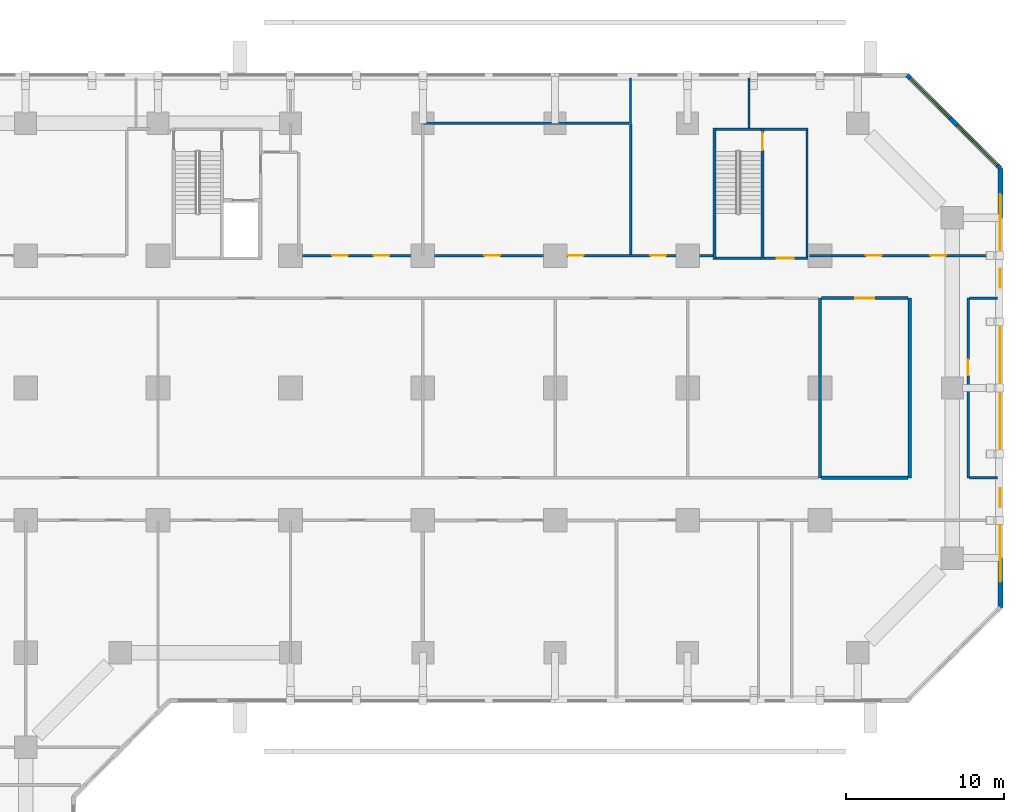
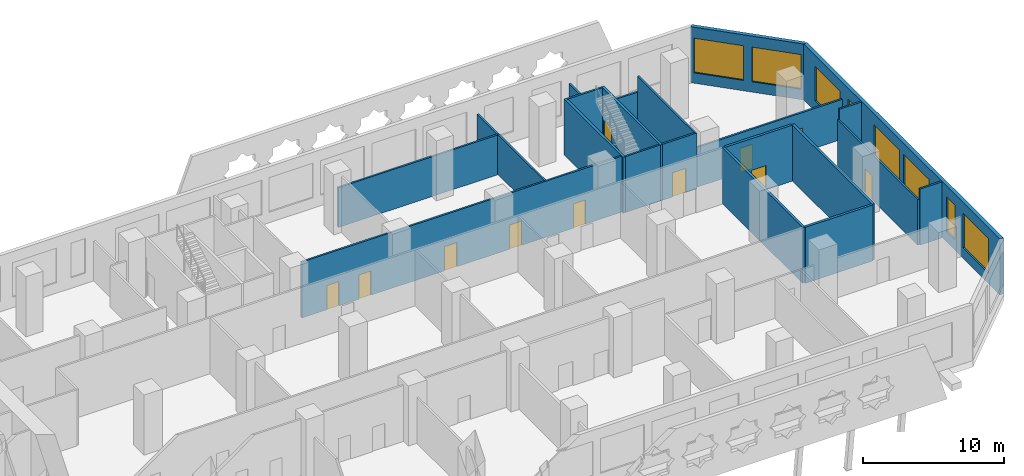
# One storey, part 12 of 21: 22 walls, 11 doors, 8 windows, 19 openings.
"""IFC4 building model written with IfcOpenShell, lengths in metres."""

from ifc_helpers import new_model, si_unit, direction, frame, frame_2d, origin, place, context, subcontext, project, spatial, rectangle, extrude, material, layer, layer_set, type_object, element, fill, save


model = new_model("IFC4")

# Units and contexts
model_context = context("Model", 3, precision=1e-05, world=origin(), true_north=direction((0.0, 1.0)))
body_context = subcontext(model_context, "Body", "Model", "MODEL_VIEW")
ifc_project = project(units=[si_unit("LENGTHUNIT", "METRE"), si_unit("AREAUNIT", "SQUARE_METRE"), si_unit("VOLUMEUNIT", "CUBIC_METRE"), si_unit("PLANEANGLEUNIT", "RADIAN"), si_unit("MASSUNIT", "GRAM", prefix="KILO")], contexts=[model_context])

# Site, building, storey
site_placement = place(None, origin())
site = spatial("IfcSite", under=ifc_project, at=site_placement, CompositionType="ELEMENT")
building_placement = place(site_placement, origin())
building = spatial("IfcBuilding", under=site, at=building_placement, Name="Kawkab Arch Medical Tower", CompositionType="ELEMENT")
storey_placement = place(building_placement, frame((0.0, 0.0, 23.800048828125)))
storey = spatial("IfcBuildingStorey", under=building, at=storey_placement, Name="L05", CompositionType="ELEMENT", Elevation=23.800048828125)

# Walls
ifc_material_1 = material(Name="Gypsum board on steel studs", Category="steel")
ifc_layer_1 = layer(ifc_material_1, 0.14990234375)
ifc_layer_set_1 = layer_set([ifc_layer_1], Name="Gypsum board on steel studs")
wall_type_1 = type_object("IfcWallType", Name="Core room partition 150", PredefinedType="PARTITIONING", material=ifc_layer_set_1)
wall_1_placement = place(storey_placement, frame((80.449951171875, -0.375, 0.0), z_axis=(0.0, 0.0, 1.0), x_axis=(1.0, 0.0, 0.0)))
element("IfcWall", 1, at=wall_1_placement, inside=storey, type_object=wall_type_1, Name="L05 core room partition", PredefinedType="PARTITIONING", context=body_context, shape_type="SweptSolid", body=[
    extrude(rectangle(XDim=2.800048828125, YDim=0.14990234375, at=frame_2d((1.39990234375, 0.0))), origin(), (0.0, 0.0, 1.0), 3.449951171875),
])
wall_2_placement = place(storey_placement, frame((83.175048828125, -8.5, 0.0), z_axis=(0.0, 0.0, 1.0), x_axis=(0.0, 1.0, 0.0)))
element("IfcWall", 2, at=wall_2_placement, inside=storey, type_object=wall_type_1, Name="L05 core room partition", PredefinedType="PARTITIONING", context=body_context, shape_type="SweptSolid", body=[
    extrude(rectangle(XDim=8.050048828125, YDim=0.14990234375, at=frame_2d((4.02490234375, 0.0))), origin(), (0.0, 0.0, 1.0), 4.849853515625),
])
ifc_material_2 = material(Name="Gypsum board partition on steel studs, mineral wool", Category="steel")
ifc_layer_2 = layer(ifc_material_2, 0.14990234375)
ifc_layer_set_2 = layer_set([ifc_layer_2], Name="Gypsum board partition on steel studs, mineral wool")
wall_type_2 = type_object("IfcWallType", Name="Partition 150", PredefinedType="PARTITIONING", material=ifc_layer_set_2)
for number, where, z_axis, x_axis, name in (
    (3, (93.47509765625, -22.5, 0.0), (0.0, 0.0, 1.0), (1.0, 0.0, 0.0), "Partition 150 w024"),
    (4, (93.47509765625, -11.10009765625, 0.0), (0.0, 0.0, 1.0), (1.0, 0.0, 0.0), "Partition 150 w027"),
):
    element("IfcWall", number, at=place(storey_placement, frame(where, z_axis=z_axis, x_axis=x_axis)), inside=storey, type_object=wall_type_2, Name=name, PredefinedType="PARTITIONING", context=body_context, shape_type="SweptSolid", body=[
        extrude(rectangle(XDim=1.804931640625, YDim=0.14990234375, at=frame_2d((0.90234375, 0.0))), origin(), (0.0, 0.0, 1.0), 4.849853515625),
    ])

# Wall, openings, doors
wall_3_placement = place(storey_placement, frame((51.0, -8.39990234375, 0.0), z_axis=(0.0, 0.0, 1.0), x_axis=(1.0, 0.0, 0.0)))
wall_3 = element("IfcWall", 5, at=wall_3_placement, inside=storey, type_object=wall_type_2, Name="Partition 150 w029", PredefinedType="PARTITIONING", context=body_context, shape_type="SweptSolid", body=[
    extrude(rectangle(XDim=26.199951171875, YDim=0.14990234375, at=frame_2d((13.10009765625, 0.0))), origin(), (0.0, 0.0, 1.0), 4.849853515625),
])
opening_1_placement = place(wall_3_placement, frame((2.050048828125, 0.0, 0.0)))
opening_1 = element("IfcOpeningElement", 6, at=opening_1_placement, cuts=wall_3, Name="Opening P05-006", PredefinedType="OPENING", context=body_context, shape_type="SweptSolid", body=[
    extrude(rectangle(XDim=1.0, YDim=2.10009765625, at=frame_2d((0.5, 1.050048828125))), frame((0.0, 0.0849609375, 0.0), z_axis=(0.0, -1.0, 0.0), x_axis=(1.0, 0.0, 0.0)), (0.0, 0.0, 1.0), 0.169921875),
])
opening_2_placement = place(wall_3_placement, frame((4.675048828125, 0.0, 0.0)))
opening_2 = element("IfcOpeningElement", 7, at=opening_2_placement, cuts=wall_3, Name="Opening P05-007", PredefinedType="OPENING", context=body_context, shape_type="SweptSolid", body=[
    extrude(rectangle(XDim=1.0, YDim=2.10009765625, at=frame_2d((0.5, 1.050048828125))), frame((0.0, 0.0849609375, 0.0), z_axis=(0.0, -1.0, 0.0), x_axis=(1.0, 0.0, 0.0)), (0.0, 0.0, 1.0), 0.169921875),
])
opening_3_placement = place(wall_3_placement, frame((11.699951171875, 0.0, 0.0)))
opening_3 = element("IfcOpeningElement", 8, at=opening_3_placement, cuts=wall_3, Name="Opening P05-008", PredefinedType="OPENING", context=body_context, shape_type="SweptSolid", body=[
    extrude(rectangle(XDim=1.0, YDim=2.10009765625, at=frame_2d((0.5, 1.050048828125))), frame((0.0, 0.0849609375, 0.0), z_axis=(0.0, -1.0, 0.0), x_axis=(1.0, 0.0, 0.0)), (0.0, 0.0, 1.0), 0.169921875),
])
opening_4_placement = place(wall_3_placement, frame((17.0, 0.0, 0.0)))
opening_4 = element("IfcOpeningElement", 9, at=opening_4_placement, cuts=wall_3, Name="Opening P05-009", PredefinedType="OPENING", context=body_context, shape_type="SweptSolid", body=[
    extrude(rectangle(XDim=1.0, YDim=2.10009765625, at=frame_2d((0.5, 1.050048828125))), frame((0.0, 0.0849609375, 0.0), z_axis=(0.0, -1.0, 0.0), x_axis=(1.0, 0.0, 0.0)), (0.0, 0.0, 1.0), 0.169921875),
])
opening_5_placement = place(wall_3_placement, frame((22.23291015625, 0.0, 0.0)))
opening_5 = element("IfcOpeningElement", 10, at=opening_5_placement, cuts=wall_3, Name="Opening P05-010", PredefinedType="OPENING", context=body_context, shape_type="SweptSolid", body=[
    extrude(rectangle(XDim=1.0, YDim=2.10009765625, at=frame_2d((0.5, 1.050048828125))), frame((0.0, 0.0849609375, 0.0), z_axis=(0.0, -1.0, 0.0), x_axis=(1.0, 0.0, 0.0)), (0.0, 0.0, 1.0), 0.169921875),
])
ifc_material_3 = material(Name="Hollow metal door leaf")
door_type_1 = type_object("IfcDoorType", Name="Single door 1000x2100 FD30S", OperationType="NOTDEFINED", PredefinedType="DOOR", material=ifc_material_3)
door_1_placement = place(opening_1_placement, origin())
door_1 = element("IfcDoor", 11, at=door_1_placement, inside=storey, type_object=door_type_1, Name="Door P05-006", OperationType="SINGLE_SWING_LEFT", OverallHeight=2.10009765625, OverallWidth=1.0, PredefinedType="DOOR", context=body_context, shape_type="SweptSolid", body=[
    extrude(rectangle(XDim=1.0, YDim=2.10009765625, at=frame_2d((0.5, 1.050048828125))), frame((0.0, 0.02490234375, 0.0), z_axis=(0.0, -1.0, 0.0), x_axis=(1.0, 0.0, 0.0)), (0.0, 0.0, 1.0), 0.050048828125),
])
fill(opening_1, door_1)
door_2_placement = place(opening_2_placement, origin())
door_2 = element("IfcDoor", 12, at=door_2_placement, inside=storey, type_object=door_type_1, Name="Door P05-007", OperationType="SINGLE_SWING_LEFT", OverallHeight=2.10009765625, OverallWidth=1.0, PredefinedType="DOOR", context=body_context, shape_type="SweptSolid", body=[
    extrude(rectangle(XDim=1.0, YDim=2.10009765625, at=frame_2d((0.5, 1.050048828125))), frame((0.0, 0.02490234375, 0.0), z_axis=(0.0, -1.0, 0.0), x_axis=(1.0, 0.0, 0.0)), (0.0, 0.0, 1.0), 0.050048828125),
])
fill(opening_2, door_2)
door_3_placement = place(opening_3_placement, origin())
door_3 = element("IfcDoor", 13, at=door_3_placement, inside=storey, type_object=door_type_1, Name="Door P05-008", OperationType="SINGLE_SWING_LEFT", OverallHeight=2.10009765625, OverallWidth=1.0, PredefinedType="DOOR", context=body_context, shape_type="SweptSolid", body=[
    extrude(rectangle(XDim=1.0, YDim=2.10009765625, at=frame_2d((0.5, 1.050048828125))), frame((0.0, 0.02490234375, 0.0), z_axis=(0.0, -1.0, 0.0), x_axis=(1.0, 0.0, 0.0)), (0.0, 0.0, 1.0), 0.050048828125),
])
fill(opening_3, door_3)
door_4_placement = place(opening_4_placement, origin())
door_4 = element("IfcDoor", 14, at=door_4_placement, inside=storey, type_object=door_type_1, Name="Door P05-009", OperationType="SINGLE_SWING_RIGHT", OverallHeight=2.10009765625, OverallWidth=1.0, PredefinedType="DOOR", context=body_context, shape_type="SweptSolid", body=[
    extrude(rectangle(XDim=1.0, YDim=2.10009765625, at=frame_2d((0.5, 1.050048828125))), frame((0.0, 0.02490234375, 0.0), z_axis=(0.0, -1.0, 0.0), x_axis=(1.0, 0.0, 0.0)), (0.0, 0.0, 1.0), 0.050048828125),
])
fill(opening_4, door_4)
door_5_placement = place(opening_5_placement, origin())
door_5 = element("IfcDoor", 15, at=door_5_placement, inside=storey, type_object=door_type_1, Name="Door P05-010", OperationType="SINGLE_SWING_RIGHT", OverallHeight=2.10009765625, OverallWidth=1.0, PredefinedType="DOOR", context=body_context, shape_type="SweptSolid", body=[
    extrude(rectangle(XDim=1.0, YDim=2.10009765625, at=frame_2d((0.5, 1.050048828125))), frame((0.0, 0.02490234375, 0.0), z_axis=(0.0, -1.0, 0.0), x_axis=(1.0, 0.0, 0.0)), (0.0, 0.0, 1.0), 0.050048828125),
])
fill(opening_5, door_5)

wall_4_placement = place(storey_placement, frame((83.330078125, -8.39990234375, 0.0), z_axis=(0.0, 0.0, 1.0), x_axis=(1.0, 0.0, 0.0)))
wall_4 = element("IfcWall", 16, at=wall_4_placement, inside=storey, type_object=wall_type_2, Name="Partition 150 w030", PredefinedType="PARTITIONING", context=body_context, shape_type="SweptSolid", body=[
    extrude(rectangle(XDim=11.949951171875, YDim=0.14990234375, at=frame_2d((5.97509765625, 0.0))), origin(), (0.0, 0.0, 1.0), 3.449951171875),
])
opening_6_placement = place(wall_4_placement, frame((3.590087890625, 0.0, 0.0)))
opening_6 = element("IfcOpeningElement", 17, at=opening_6_placement, cuts=wall_4, Name="Opening P05-011", PredefinedType="OPENING", context=body_context, shape_type="SweptSolid", body=[
    extrude(rectangle(XDim=1.0, YDim=2.10009765625, at=frame_2d((0.5, 1.050048828125))), frame((0.0, 0.0849609375, 0.0), z_axis=(0.0, -1.0, 0.0), x_axis=(1.0, 0.0, 0.0)), (0.0, 0.0, 1.0), 0.169921875),
])
opening_7_placement = place(wall_4_placement, frame((7.679931640625, 0.0, 0.0)))
opening_7 = element("IfcOpeningElement", 18, at=opening_7_placement, cuts=wall_4, Name="Opening P05-012", PredefinedType="OPENING", context=body_context, shape_type="SweptSolid", body=[
    extrude(rectangle(XDim=1.0, YDim=2.10009765625, at=frame_2d((0.5, 1.050048828125))), frame((0.0, 0.0849609375, 0.0), z_axis=(0.0, -1.0, 0.0), x_axis=(1.0, 0.0, 0.0)), (0.0, 0.0, 1.0), 0.169921875),
])
door_6_placement = place(opening_6_placement, origin())
door_6 = element("IfcDoor", 19, at=door_6_placement, inside=storey, type_object=door_type_1, Name="Door P05-011", OperationType="SINGLE_SWING_LEFT", OverallHeight=2.10009765625, OverallWidth=1.0, PredefinedType="DOOR", context=body_context, shape_type="SweptSolid", body=[
    extrude(rectangle(XDim=1.0, YDim=2.10009765625, at=frame_2d((0.5, 1.050048828125))), frame((0.0, 0.02490234375, 0.0), z_axis=(0.0, -1.0, 0.0), x_axis=(1.0, 0.0, 0.0)), (0.0, 0.0, 1.0), 0.050048828125),
])
fill(opening_6, door_6)
door_7_placement = place(opening_7_placement, origin())
door_7 = element("IfcDoor", 20, at=door_7_placement, inside=storey, type_object=door_type_1, Name="Door P05-012", OperationType="SINGLE_SWING_RIGHT", OverallHeight=2.10009765625, OverallWidth=1.0, PredefinedType="DOOR", context=body_context, shape_type="SweptSolid", body=[
    extrude(rectangle(XDim=1.0, YDim=2.10009765625, at=frame_2d((0.5, 1.050048828125))), frame((0.0, 0.02490234375, 0.0), z_axis=(0.0, -1.0, 0.0), x_axis=(1.0, 0.0, 0.0)), (0.0, 0.0, 1.0), 0.050048828125),
])
fill(opening_7, door_7)

# Walls
wall_5_placement = place(storey_placement, frame((58.840087890625, 0.0, 0.0), z_axis=(0.0, 0.0, 1.0), x_axis=(1.0, 0.0, 0.0)))
element("IfcWall", 21, at=wall_5_placement, inside=storey, type_object=wall_type_2, Name="Partition 150 w033", PredefinedType="PARTITIONING", context=body_context, shape_type="SweptSolid", body=[
    extrude(rectangle(XDim=13.044921875, YDim=0.14990234375, at=frame_2d((6.5224609375, 0.0))), origin(), (0.0, 0.0, 1.0), 3.449951171875),
])
wall_6_placement = place(storey_placement, frame((71.97998046875, 0.02001953125, 0.0), z_axis=(0.0, 0.0, 1.0), x_axis=(0.0, 1.0, 0.0)))
element("IfcWall", 22, at=wall_6_placement, inside=storey, type_object=wall_type_2, Name="Partition 150 w062", PredefinedType="PARTITIONING", context=body_context, shape_type="SweptSolid", body=[
    extrude(rectangle(XDim=2.85986328125, YDim=0.14990234375, at=frame_2d((1.429931640625, 0.0))), origin(), (0.0, 0.0, 1.0), 3.449951171875),
])
wall_7_placement = place(storey_placement, frame((72.0, -8.324951171875, 0.0), z_axis=(0.0, 0.0, 1.0), x_axis=(0.0, 1.0, 0.0)))
element("IfcWall", 23, at=wall_7_placement, inside=storey, type_object=wall_type_2, Name="Partition 150 w063", PredefinedType="PARTITIONING", context=body_context, shape_type="SweptSolid", body=[
    extrude(rectangle(XDim=8.322998046875, YDim=0.14990234375, at=frame_2d((4.16162109375, 0.0))), origin(), (0.0, 0.0, 1.0), 3.449951171875),
])
wall_8_placement = place(storey_placement, frame((79.5, -0.300048828125, 0.0), z_axis=(0.0, 0.0, 1.0), x_axis=(0.0, 1.0, 0.0)))
element("IfcWall", 24, at=wall_8_placement, inside=storey, type_object=wall_type_2, Name="Partition 150 w065", PredefinedType="PARTITIONING", context=body_context, shape_type="SweptSolid", body=[
    extrude(rectangle(XDim=3.179931640625, YDim=0.14990234375, at=frame_2d((1.58984375, 0.0))), origin(), (0.0, 0.0, 1.0), 3.449951171875),
])

# Wall, opening, door
wall_9_placement = place(storey_placement, frame((93.39990234375, -22.5, 0.0), z_axis=(0.0, 0.0, 1.0), x_axis=(0.0, 1.0, 0.0)))
wall_9 = element("IfcWall", 25, at=wall_9_placement, inside=storey, type_object=wall_type_2, Name="Partition 150 w068", PredefinedType="PARTITIONING", context=body_context, shape_type="SweptSolid", body=[
    extrude(rectangle(XDim=11.39990234375, YDim=0.14990234375, at=frame_2d((5.699951171875, 0.0))), origin(), (0.0, 0.0, 1.0), 3.949951171875),
])
opening_8_placement = place(wall_9_placement, frame((6.5, 0.0, 0.0)))
opening_8 = element("IfcOpeningElement", 26, at=opening_8_placement, cuts=wall_9, Name="Opening P05-060", PredefinedType="OPENING", context=body_context, shape_type="SweptSolid", body=[
    extrude(rectangle(XDim=1.0, YDim=2.10009765625, at=frame_2d((0.5, 1.050048828125))), frame((0.0, 0.0849609375, 0.0), z_axis=(0.0, -1.0, 0.0), x_axis=(1.0, 0.0, 0.0)), (0.0, 0.0, 1.0), 0.169921875),
])
door_8_placement = place(opening_8_placement, origin())
door_8 = element("IfcDoor", 27, at=door_8_placement, inside=storey, type_object=door_type_1, Name="Door P05-060", OperationType="SINGLE_SWING_LEFT", OverallHeight=2.10009765625, OverallWidth=1.0, PredefinedType="DOOR", context=body_context, shape_type="SweptSolid", body=[
    extrude(rectangle(XDim=1.0, YDim=2.10009765625, at=frame_2d((0.5, 1.050048828125))), frame((0.0, 0.02490234375, 0.0), z_axis=(0.0, -1.0, 0.0), x_axis=(1.0, 0.0, 0.0)), (0.0, 0.0, 1.0), 0.050048828125),
])
fill(opening_8, door_8)

# Wall, openings, windows
ifc_material_4 = material(Name="Bronze clad insulated wall panel")
ifc_layer_3 = layer(ifc_material_4, 0.300048828125)
ifc_layer_set_3 = layer_set([ifc_layer_3], Name="Bronze clad insulated wall panel")
wall_type_3 = type_object("IfcWallType", Name="Podium external wall 300", PredefinedType="SOLIDWALL", material=ifc_layer_set_3)
wall_10_placement = place(storey_placement, frame((95.449951171875, -30.73779296875, 0.0), z_axis=(0.0, 0.0, 1.0), x_axis=(0.0, 1.0, 0.0)))
wall_10 = element("IfcWall", 28, at=wall_10_placement, inside=storey, type_object=wall_type_3, Name="Podium external wall L05 R10", PredefinedType="SOLIDWALL", context=body_context, shape_type="SweptSolid", body=[
    extrude(rectangle(XDim=27.875732421875, YDim=0.300048828125, at=frame_2d((13.93798828125, 0.0))), origin(), (0.0, 0.0, 1.0), 4.849853515625),
])
opening_9_placement = place(wall_10_placement, frame((1.637939453125, 0.0, 0.89990234375)))
opening_9 = element("IfcOpeningElement", 29, at=opening_9_placement, cuts=wall_10, Name="Opening PBW360-30-S9", PredefinedType="OPENING", context=body_context, shape_type="SweptSolid", body=[
    extrude(rectangle(XDim=3.60009765625, YDim=3.0, at=frame_2d((1.800048828125, 1.5))), frame((0.0, 0.159912109375, 0.0), z_axis=(0.0, -1.0, 0.0), x_axis=(1.0, 0.0, 0.0)), (0.0, 0.0, 1.0), 0.320068359375),
])
opening_10_placement = place(wall_10_placement, frame((6.36279296875, 0.0, 0.89990234375)))
opening_10 = element("IfcOpeningElement", 30, at=opening_10_placement, cuts=wall_10, Name="Opening PBW120-30-S9", PredefinedType="OPENING", context=body_context, shape_type="SweptSolid", body=[
    extrude(rectangle(XDim=1.199951171875, YDim=3.0, at=frame_2d((0.60009765625, 1.5))), frame((0.0, 0.159912109375, 0.0), z_axis=(0.0, -1.0, 0.0), x_axis=(1.0, 0.0, 0.0)), (0.0, 0.0, 1.0), 0.320068359375),
])
opening_11_placement = place(wall_10_placement, frame((10.037841796875, 0.0, 0.89990234375)))
opening_11 = element("IfcOpeningElement", 31, at=opening_11_placement, cuts=wall_10, Name="Opening PBW360-30-S9", PredefinedType="OPENING", context=body_context, shape_type="SweptSolid", body=[
    extrude(rectangle(XDim=3.60009765625, YDim=3.0, at=frame_2d((1.800048828125, 1.5))), frame((0.0, 0.159912109375, 0.0), z_axis=(0.0, -1.0, 0.0), x_axis=(1.0, 0.0, 0.0)), (0.0, 0.0, 1.0), 0.320068359375),
])
opening_12_placement = place(wall_10_placement, frame((14.23779296875, 0.0, 0.89990234375)))
opening_12 = element("IfcOpeningElement", 32, at=opening_12_placement, cuts=wall_10, Name="Opening PBW360-30-S9", PredefinedType="OPENING", context=body_context, shape_type="SweptSolid", body=[
    extrude(rectangle(XDim=3.60009765625, YDim=3.0, at=frame_2d((1.800048828125, 1.5))), frame((0.0, 0.159912109375, 0.0), z_axis=(0.0, -1.0, 0.0), x_axis=(1.0, 0.0, 0.0)), (0.0, 0.0, 1.0), 0.320068359375),
])
opening_13_placement = place(wall_10_placement, frame((20.31298828125, 0.0, 0.89990234375)))
opening_13 = element("IfcOpeningElement", 33, at=opening_13_placement, cuts=wall_10, Name="Opening PBW120-30-S9", PredefinedType="OPENING", context=body_context, shape_type="SweptSolid", body=[
    extrude(rectangle(XDim=1.199951171875, YDim=3.0, at=frame_2d((0.60009765625, 1.5))), frame((0.0, 0.159912109375, 0.0), z_axis=(0.0, -1.0, 0.0), x_axis=(1.0, 0.0, 0.0)), (0.0, 0.0, 1.0), 0.320068359375),
])
opening_14_placement = place(wall_10_placement, frame((22.637939453125, 0.0, 0.89990234375)))
opening_14 = element("IfcOpeningElement", 34, at=opening_14_placement, cuts=wall_10, Name="Opening PBW360-30-S9", PredefinedType="OPENING", context=body_context, shape_type="SweptSolid", body=[
    extrude(rectangle(XDim=3.60009765625, YDim=3.0, at=frame_2d((1.800048828125, 1.5))), frame((0.0, 0.159912109375, 0.0), z_axis=(0.0, -1.0, 0.0), x_axis=(1.0, 0.0, 0.0)), (0.0, 0.0, 1.0), 0.320068359375),
])
ifc_material_5 = material(Name="Bronze anodised aluminium louvred window", Category="aluminium")
window_type_1 = type_object("IfcWindowType", Name="Podium band window 1200 x 3000 sill 900", PartitioningType="DOUBLE_PANEL_VERTICAL", PredefinedType="WINDOW", material=ifc_material_5)
window_1_placement = place(opening_10_placement, origin())
window_1 = element("IfcWindow", 35, at=window_1_placement, inside=storey, type_object=window_type_1, Name="Band window L05 R10.2", OverallHeight=3.0, OverallWidth=1.199951171875, PartitioningType="SINGLE_PANEL", PredefinedType="WINDOW", context=body_context, shape_type="SweptSolid", body=[
    extrude(rectangle(XDim=1.199951171875, YDim=3.0, at=frame_2d((0.60009765625, 1.5))), frame((0.0, 0.030029296875, 0.0), z_axis=(0.0, -1.0, 0.0), x_axis=(1.0, 0.0, 0.0)), (0.0, 0.0, 1.0), 0.06005859375),
])
fill(opening_10, window_1)
window_2_placement = place(opening_13_placement, origin())
window_2 = element("IfcWindow", 36, at=window_2_placement, inside=storey, type_object=window_type_1, Name="Band window L05 R10.5", OverallHeight=3.0, OverallWidth=1.199951171875, PartitioningType="SINGLE_PANEL", PredefinedType="WINDOW", context=body_context, shape_type="SweptSolid", body=[
    extrude(rectangle(XDim=1.199951171875, YDim=3.0, at=frame_2d((0.60009765625, 1.5))), frame((0.0, 0.030029296875, 0.0), z_axis=(0.0, -1.0, 0.0), x_axis=(1.0, 0.0, 0.0)), (0.0, 0.0, 1.0), 0.06005859375),
])
fill(opening_13, window_2)
ifc_material_6 = material(Name="Bronze anodised aluminium louvred window", Category="aluminium")
window_type_2 = type_object("IfcWindowType", Name="Podium band window 3600 x 3000 sill 900", PartitioningType="DOUBLE_PANEL_VERTICAL", PredefinedType="WINDOW", material=ifc_material_6)
window_3_placement = place(opening_9_placement, origin())
window_3 = element("IfcWindow", 37, at=window_3_placement, inside=storey, type_object=window_type_2, Name="Band window L05 R10.1", OverallHeight=3.0, OverallWidth=3.60009765625, PartitioningType="SINGLE_PANEL", PredefinedType="WINDOW", context=body_context, shape_type="SweptSolid", body=[
    extrude(rectangle(XDim=3.60009765625, YDim=3.0, at=frame_2d((1.800048828125, 1.5))), frame((0.0, 0.030029296875, 0.0), z_axis=(0.0, -1.0, 0.0), x_axis=(1.0, 0.0, 0.0)), (0.0, 0.0, 1.0), 0.06005859375),
])
fill(opening_9, window_3)
window_4_placement = place(opening_11_placement, origin())
window_4 = element("IfcWindow", 38, at=window_4_placement, inside=storey, type_object=window_type_2, Name="Band window L05 R10.3", OverallHeight=3.0, OverallWidth=3.60009765625, PartitioningType="SINGLE_PANEL", PredefinedType="WINDOW", context=body_context, shape_type="SweptSolid", body=[
    extrude(rectangle(XDim=3.60009765625, YDim=3.0, at=frame_2d((1.800048828125, 1.5))), frame((0.0, 0.030029296875, 0.0), z_axis=(0.0, -1.0, 0.0), x_axis=(1.0, 0.0, 0.0)), (0.0, 0.0, 1.0), 0.06005859375),
])
fill(opening_11, window_4)
window_5_placement = place(opening_12_placement, origin())
window_5 = element("IfcWindow", 39, at=window_5_placement, inside=storey, type_object=window_type_2, Name="Band window L05 R10.4", OverallHeight=3.0, OverallWidth=3.60009765625, PartitioningType="SINGLE_PANEL", PredefinedType="WINDOW", context=body_context, shape_type="SweptSolid", body=[
    extrude(rectangle(XDim=3.60009765625, YDim=3.0, at=frame_2d((1.800048828125, 1.5))), frame((0.0, 0.030029296875, 0.0), z_axis=(0.0, -1.0, 0.0), x_axis=(1.0, 0.0, 0.0)), (0.0, 0.0, 1.0), 0.06005859375),
])
fill(opening_12, window_5)
window_6_placement = place(opening_14_placement, origin())
window_6 = element("IfcWindow", 40, at=window_6_placement, inside=storey, type_object=window_type_2, Name="Band window L05 R10.6", OverallHeight=3.0, OverallWidth=3.60009765625, PartitioningType="SINGLE_PANEL", PredefinedType="WINDOW", context=body_context, shape_type="SweptSolid", body=[
    extrude(rectangle(XDim=3.60009765625, YDim=3.0, at=frame_2d((1.800048828125, 1.5))), frame((0.0, 0.030029296875, 0.0), z_axis=(0.0, -1.0, 0.0), x_axis=(1.0, 0.0, 0.0)), (0.0, 0.0, 1.0), 0.06005859375),
])
fill(opening_14, window_6)

wall_11_placement = place(storey_placement, frame((95.449951171875, -2.862060546875, 0.0), z_axis=(0.0, 0.0, 1.0), x_axis=(-0.707106781187, 0.707106781187, 0.0)))
wall_11 = element("IfcWall", 41, at=wall_11_placement, inside=storey, type_object=wall_type_3, Name="Podium external wall L05 R11", PredefinedType="SOLIDWALL", context=body_context, shape_type="SweptSolid", body=[
    extrude(rectangle(XDim=8.361083984375, YDim=0.300048828125, at=frame_2d((4.1806640625, 0.0))), origin(), (0.0, 0.0, 1.0), 4.849853515625),
])
opening_15_placement = place(wall_11_placement, frame((0.259033203125, 0.0, 0.89990234375)))
opening_15 = element("IfcOpeningElement", 42, at=opening_15_placement, cuts=wall_11, Name="Opening PBW360-30-S9", PredefinedType="OPENING", context=body_context, shape_type="SweptSolid", body=[
    extrude(rectangle(XDim=3.60009765625, YDim=3.0, at=frame_2d((1.800048828125, 1.5))), frame((0.0, 0.159912109375, 0.0), z_axis=(0.0, -1.0, 0.0), x_axis=(1.0, 0.0, 0.0)), (0.0, 0.0, 1.0), 0.320068359375),
])
opening_16_placement = place(wall_11_placement, frame((4.501708984375, 0.0, 0.89990234375)))
opening_16 = element("IfcOpeningElement", 43, at=opening_16_placement, cuts=wall_11, Name="Opening PBW360-30-S9", PredefinedType="OPENING", context=body_context, shape_type="SweptSolid", body=[
    extrude(rectangle(XDim=3.60009765625, YDim=3.0, at=frame_2d((1.800048828125, 1.5))), frame((0.0, 0.159912109375, 0.0), z_axis=(0.0, -1.0, 0.0), x_axis=(1.0, 0.0, 0.0)), (0.0, 0.0, 1.0), 0.320068359375),
])
window_7_placement = place(opening_15_placement, origin())
window_7 = element("IfcWindow", 44, at=window_7_placement, inside=storey, type_object=window_type_2, Name="Band window L05 R11.1", OverallHeight=3.0, OverallWidth=3.60009765625, PartitioningType="SINGLE_PANEL", PredefinedType="WINDOW", context=body_context, shape_type="SweptSolid", body=[
    extrude(rectangle(XDim=3.60009765625, YDim=3.0, at=frame_2d((1.800048828125, 1.5))), frame((0.0, 0.030029296875, 0.0), z_axis=(0.0, -1.0, 0.0), x_axis=(1.0, 0.0, 0.0)), (0.0, 0.0, 1.0), 0.06005859375),
])
fill(opening_15, window_7)
window_8_placement = place(opening_16_placement, origin())
window_8 = element("IfcWindow", 45, at=window_8_placement, inside=storey, type_object=window_type_2, Name="Band window L05 R11.2", OverallHeight=3.0, OverallWidth=3.60009765625, PartitioningType="SINGLE_PANEL", PredefinedType="WINDOW", context=body_context, shape_type="SweptSolid", body=[
    extrude(rectangle(XDim=3.60009765625, YDim=3.0, at=frame_2d((1.800048828125, 1.5))), frame((0.0, 0.030029296875, 0.0), z_axis=(0.0, -1.0, 0.0), x_axis=(1.0, 0.0, 0.0)), (0.0, 0.0, 1.0), 0.06005859375),
])
fill(opening_16, window_8)

# Wall
ifc_material_7 = material(Name="Fire-rated gypsum board partition on steel studs", Category="steel")
ifc_layer_4 = layer(ifc_material_7, 0.199951171875)
ifc_layer_set_4 = layer_set([ifc_layer_4], Name="Fire-rated gypsum board partition on steel studs")
wall_type_4 = type_object("IfcWallType", Name="Protected partition 200", PredefinedType="PARTITIONING", material=ifc_layer_set_4)
wall_12_placement = place(storey_placement, frame((84.10009765625, -22.5, 0.0), z_axis=(0.0, 0.0, 1.0), x_axis=(1.0, 0.0, 0.0)))
element("IfcWall", 46, at=wall_12_placement, inside=storey, type_object=wall_type_4, Name="Protected partition 200 w074", PredefinedType="PARTITIONING", context=body_context, shape_type="SweptSolid", body=[
    extrude(rectangle(XDim=5.5, YDim=0.199951171875, at=frame_2d((2.75, 0.0))), origin(), (0.0, 0.0, 1.0), 4.849853515625),
])

# Wall, opening, door
wall_13_placement = place(storey_placement, frame((84.10009765625, -11.10009765625, 0.0), z_axis=(0.0, 0.0, 1.0), x_axis=(1.0, 0.0, 0.0)))
wall_13 = element("IfcWall", 47, at=wall_13_placement, inside=storey, type_object=wall_type_4, Name="Protected partition 200 w075", PredefinedType="PARTITIONING", context=body_context, shape_type="SweptSolid", body=[
    extrude(rectangle(XDim=5.5, YDim=0.199951171875, at=frame_2d((2.75, 0.0))), origin(), (0.0, 0.0, 1.0), 4.849853515625),
])
opening_17_placement = place(wall_13_placement, frame((2.14990234375, 0.0, 0.0)))
opening_17 = element("IfcOpeningElement", 48, at=opening_17_placement, cuts=wall_13, Name="Opening P05-063", PredefinedType="OPENING", context=body_context, shape_type="SweptSolid", body=[
    extrude(rectangle(XDim=1.199951171875, YDim=2.10009765625, at=frame_2d((0.60009765625, 1.050048828125))), frame((0.0, 0.10986328125, 0.0), z_axis=(0.0, -1.0, 0.0), x_axis=(1.0, 0.0, 0.0)), (0.0, 0.0, 1.0), 0.219970703125),
])
ifc_material_8 = material(Name="Hollow metal door leaf")
door_type_2 = type_object("IfcDoorType", Name="Single door 1200x2100 FD60", OperationType="NOTDEFINED", PredefinedType="DOOR", material=ifc_material_8)
door_9_placement = place(opening_17_placement, origin())
door_9 = element("IfcDoor", 49, at=door_9_placement, inside=storey, type_object=door_type_2, Name="Door P05-063", OperationType="SINGLE_SWING_LEFT", OverallHeight=2.10009765625, OverallWidth=1.199951171875, PredefinedType="DOOR", context=body_context, shape_type="SweptSolid", body=[
    extrude(rectangle(XDim=1.199951171875, YDim=2.10009765625, at=frame_2d((0.60009765625, 1.050048828125))), frame((0.0, 0.02490234375, 0.0), z_axis=(0.0, -1.0, 0.0), x_axis=(1.0, 0.0, 0.0)), (0.0, 0.0, 1.0), 0.050048828125),
])
fill(opening_17, door_9)

# Walls
for number, where, z_axis, x_axis, name in (
    (50, (84.0, -22.5, 0.0), (0.0, 0.0, 1.0), (0.0, 1.0, 0.0), "Protected partition 200 w081"),
    (51, (89.699951171875, -22.5, 0.0), (0.0, 0.0, 1.0), (0.0, 1.0, 0.0), "Protected partition 200 w082"),
):
    element("IfcWall", number, at=place(storey_placement, frame(where, z_axis=z_axis, x_axis=x_axis)), inside=storey, type_object=wall_type_4, Name=name, PredefinedType="PARTITIONING", context=body_context, shape_type="SweptSolid", body=[
        extrude(rectangle(XDim=11.39990234375, YDim=0.199951171875, at=frame_2d((5.699951171875, 0.0))), origin(), (0.0, 0.0, 1.0), 4.849853515625),
    ])
ifc_material_9 = material(Name="Concrete C50/60", Category="concrete")
ifc_layer_5 = layer(ifc_material_9, 0.14990234375)
ifc_layer_set_5 = layer_set([ifc_layer_5], Name="Concrete C50/60")
wall_type_5 = type_object("IfcWallType", Name="Stair enclosure wall 150 C50/60", PredefinedType="SHEAR", material=ifc_layer_set_5)
for number, where, z_axis, x_axis, name in (
    (52, (77.39990234375, -0.375, 0.0), (0.0, 0.0, 1.0), (1.0, 0.0, 0.0), "L05 stair enclosure wall"),
    (53, (77.39990234375, -8.574951171875, 0.0), (0.0, 0.0, 1.0), (1.0, 0.0, 0.0), "L05 stair enclosure wall"),
):
    element("IfcWall", number, at=place(storey_placement, frame(where, z_axis=z_axis, x_axis=x_axis)), inside=storey, type_object=wall_type_5, Name=name, PredefinedType="SHEAR", context=body_context, shape_type="SweptSolid", body=[
        extrude(rectangle(XDim=2.85009765625, YDim=0.14990234375, at=frame_2d((1.425048828125, 0.0))), origin(), (0.0, 0.0, 1.0), 4.849853515625),
    ])

# Wall, opening, door
wall_14_placement = place(storey_placement, frame((80.449951171875, -8.574951171875, 0.0), z_axis=(0.0, 0.0, 1.0), x_axis=(1.0, 0.0, 0.0)))
wall_14 = element("IfcWall", 54, at=wall_14_placement, inside=storey, type_object=wall_type_5, Name="L05 stair enclosure wall", PredefinedType="SHEAR", context=body_context, shape_type="SweptSolid", body=[
    extrude(rectangle(XDim=2.800048828125, YDim=0.14990234375, at=frame_2d((1.39990234375, 0.0))), origin(), (0.0, 0.0, 1.0), 4.849853515625),
])
opening_18_placement = place(wall_14_placement, frame((0.800048828125, 0.0, 0.0)))
opening_18 = element("IfcOpeningElement", 55, at=opening_18_placement, cuts=wall_14, Name="Opening SD", PredefinedType="OPENING", context=body_context, shape_type="SweptSolid", body=[
    extrude(rectangle(XDim=1.10009765625, YDim=2.10009765625, at=frame_2d((0.550048828125, 1.050048828125))), frame((0.0, 0.0849609375, 0.0), z_axis=(0.0, -1.0, 0.0), x_axis=(1.0, 0.0, 0.0)), (0.0, 0.0, 1.0), 0.169921875),
])
ifc_material_10 = material(Name="Hollow metal fire door leaf")
door_type_3 = type_object("IfcDoorType", Name="Exit stair door 1100", OperationType="SINGLE_SWING_LEFT", PredefinedType="DOOR", material=ifc_material_10)
door_10_placement = place(opening_18_placement, origin())
door_10 = element("IfcDoor", 56, at=door_10_placement, inside=storey, type_object=door_type_3, Name="L05 Exit stair ST7 lobby door", OperationType="SINGLE_SWING_LEFT", OverallHeight=2.10009765625, OverallWidth=1.10009765625, PredefinedType="DOOR", context=body_context, shape_type="SweptSolid", body=[
    extrude(rectangle(XDim=1.10009765625, YDim=2.10009765625, at=frame_2d((0.550048828125, 1.050048828125))), frame((0.0, 0.02490234375, 0.0), z_axis=(0.0, -1.0, 0.0), x_axis=(1.0, 0.0, 0.0)), (0.0, 0.0, 1.0), 0.050048828125),
])
fill(opening_18, door_10)

# Wall
ifc_material_11 = material(Name="Concrete C50/60", Category="concrete")
ifc_layer_6 = layer(ifc_material_11, 0.199951171875)
ifc_layer_set_6 = layer_set([ifc_layer_6], Name="Concrete C50/60")
wall_type_6 = type_object("IfcWallType", Name="Stair enclosure wall 200 C50/60", PredefinedType="SHEAR", material=ifc_layer_set_6)
wall_15_placement = place(storey_placement, frame((77.300048828125, -8.64990234375, 0.0), z_axis=(0.0, 0.0, 1.0), x_axis=(0.0, 1.0, 0.0)))
element("IfcWall", 57, at=wall_15_placement, inside=storey, type_object=wall_type_6, Name="L05 stair enclosure wall", PredefinedType="SHEAR", context=body_context, shape_type="SweptSolid", body=[
    extrude(rectangle(XDim=8.349853515625, YDim=0.199951171875, at=frame_2d((4.1748046875, 0.0))), origin(), (0.0, 0.0, 1.0), 4.849853515625),
])

# Wall, opening, door
wall_16_placement = place(storey_placement, frame((80.35009765625, -8.64990234375, 0.0), z_axis=(0.0, 0.0, 1.0), x_axis=(0.0, 1.0, 0.0)))
wall_16 = element("IfcWall", 58, at=wall_16_placement, inside=storey, type_object=wall_type_6, Name="L05 stair enclosure wall", PredefinedType="SHEAR", context=body_context, shape_type="SweptSolid", body=[
    extrude(rectangle(XDim=8.349853515625, YDim=0.199951171875, at=frame_2d((4.1748046875, 0.0))), origin(), (0.0, 0.0, 1.0), 4.849853515625),
])
opening_19_placement = place(wall_16_placement, frame((6.949951171875, 0.0, 0.0)))
opening_19 = element("IfcOpeningElement", 59, at=opening_19_placement, cuts=wall_16, Name="Opening SD", PredefinedType="OPENING", context=body_context, shape_type="SweptSolid", body=[
    extrude(rectangle(XDim=1.10009765625, YDim=2.10009765625, at=frame_2d((0.550048828125, 1.050048828125))), frame((0.0, 0.10986328125, 0.0), z_axis=(0.0, -1.0, 0.0), x_axis=(1.0, 0.0, 0.0)), (0.0, 0.0, 1.0), 0.219970703125),
])
door_11_placement = place(opening_19_placement, origin())
door_11 = element("IfcDoor", 60, at=door_11_placement, inside=storey, type_object=door_type_3, Name="L05 Exit stair ST7 door", OperationType="SINGLE_SWING_LEFT", OverallHeight=2.10009765625, OverallWidth=1.10009765625, PredefinedType="DOOR", context=body_context, shape_type="SweptSolid", body=[
    extrude(rectangle(XDim=1.10009765625, YDim=2.10009765625, at=frame_2d((0.550048828125, 1.050048828125))), frame((0.0, 0.02490234375, 0.0), z_axis=(0.0, -1.0, 0.0), x_axis=(1.0, 0.0, 0.0)), (0.0, 0.0, 1.0), 0.050048828125),
])
fill(opening_19, door_11)

save(model, "model.ifc")
